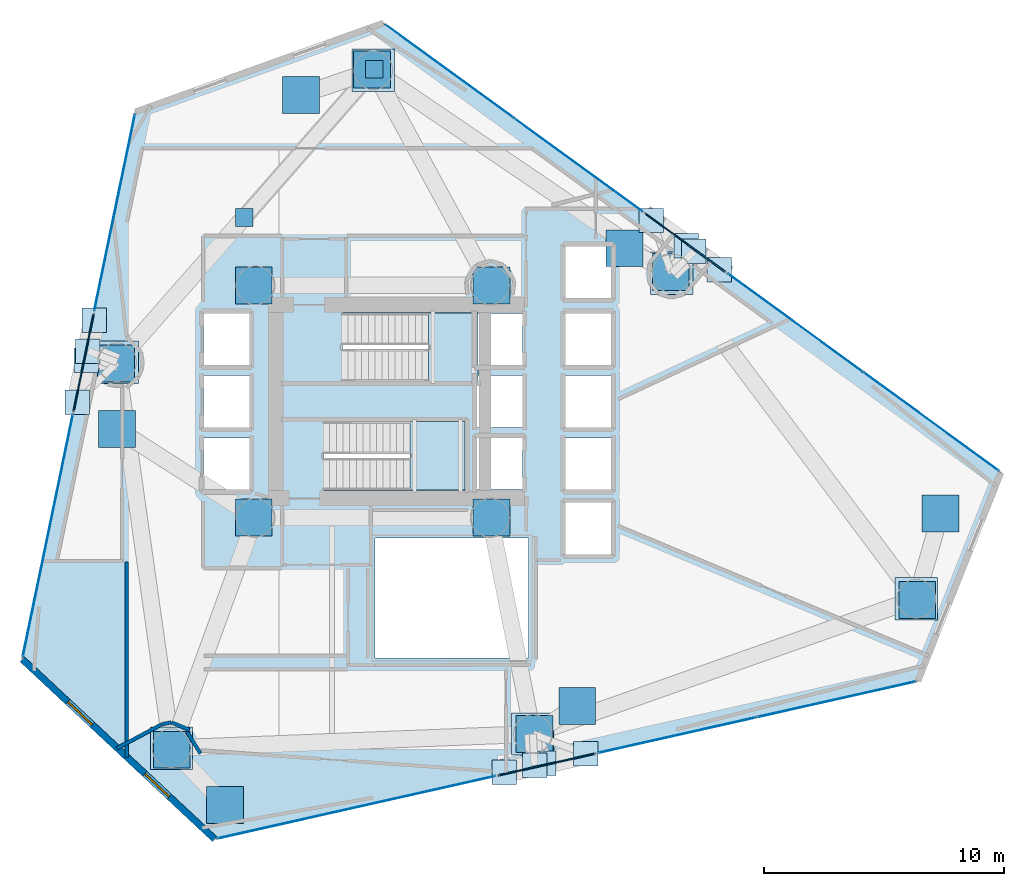
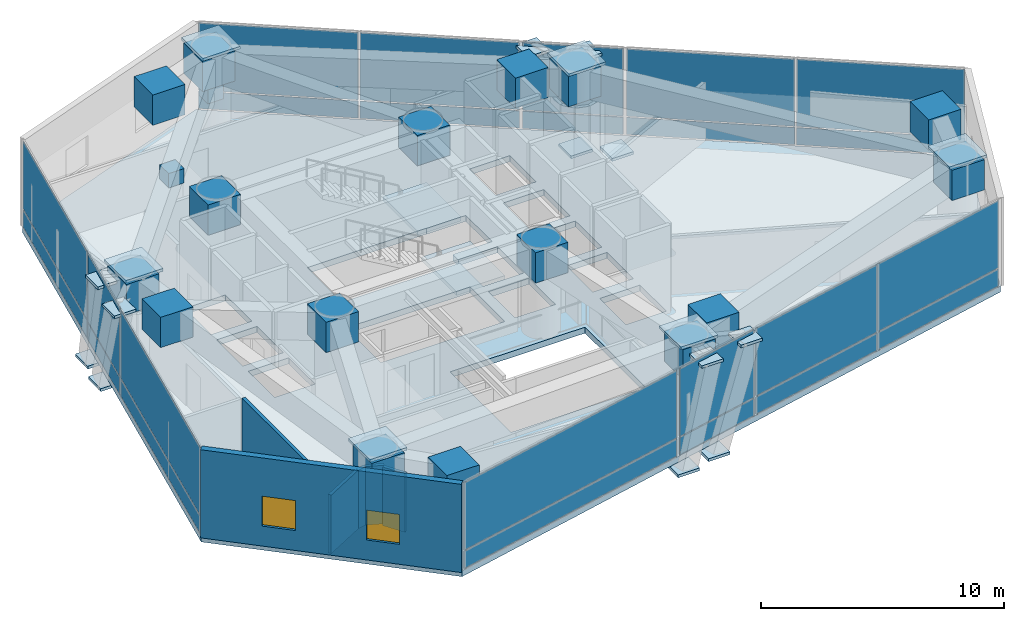
# One storey, part 16 of 22: 60 plates, 6 walls, 3 slabs, 2 windows, 2 openings, 11 elements without a shape of their own.
"""IFC4 building model written with IfcOpenShell, lengths in metres."""

from ifc_helpers import new_model, si_unit, direction, frame, frame_2d, origin, origin_2d, place, context, subcontext, project, spatial, polyline, rectangle, outline, extrude, material, layer, layer_set, type_object, element, fill, aggregate, save


model = new_model("IFC4")

# Units and contexts
model_context = context("Model", 3, precision=1e-05, world=origin(), true_north=direction((0.0, 1.0)))
body_context = subcontext(model_context, "Body", "Model", "MODEL_VIEW")
ifc_project = project(units=[si_unit("LENGTHUNIT", "METRE"), si_unit("AREAUNIT", "SQUARE_METRE"), si_unit("VOLUMEUNIT", "CUBIC_METRE"), si_unit("PLANEANGLEUNIT", "RADIAN"), si_unit("MASSUNIT", "GRAM", prefix="KILO")], contexts=[model_context])

# Site, building, storey
site_placement = place(None, origin())
site = spatial("IfcSite", under=ifc_project, at=site_placement, CompositionType="ELEMENT")
building_placement = place(site_placement, origin())
building = spatial("IfcBuilding", under=site, at=building_placement, Name="Qianvela Tower", CompositionType="ELEMENT")
storey_placement = place(building_placement, frame((0.0, 0.0, 93.199951171875)))
storey = spatial("IfcBuildingStorey", under=building, at=storey_placement, Name="L23", CompositionType="ELEMENT", Elevation=93.199951171875)

# Curtain wall, plates
ifc_material_1 = material(Name="Anodised Architectural Aluminium and Insulated Spandrel Panel", Category="aluminium")
ifc_layer_1 = layer(ifc_material_1, 0.179931640625)
ifc_layer_set_1 = layer_set([ifc_layer_1], Name="Anodised Architectural Aluminium and Insulated Spandrel Panel")
curtain_wall_type_1 = type_object("IfcCurtainWallType", Name="CW-BRACEBAY", PredefinedType="USERDEFINED", material=ifc_layer_set_1)
curtain_wall_1_placement = place(storey_placement, origin())
curtain_wall_1 = element("IfcCurtainWall", 1, at=curtain_wall_1_placement, inside=storey, type_object=curtain_wall_type_1, Name="L23 CW-BRACEBAY Curtain Wall 02B", ObjectType="CURTAIN_WALL_SYSTEM", PredefinedType="USERDEFINED")
ifc_material_2 = material(Name="Insulated Aluminium Spandrel Panel with Mineral-Wool Backpan", Category="aluminium")
ifc_layer_2 = layer(ifc_material_2, 0.06005859375)
ifc_layer_set_2 = layer_set([ifc_layer_2], Name="Insulated Aluminium Spandrel Panel with Mineral-Wool Backpan")
plate_type_1 = type_object("IfcPlateType", Name="CW-BRACEBAY-PNL", PredefinedType="CURTAIN_PANEL", material=ifc_layer_set_2)
plate_1_placement = place(storey_placement, frame((46.54736328125, 35.3330078125, 0.06494140625), z_axis=(0.0, 0.0, 1.0), x_axis=(-0.808676468531, 0.58825366063, 0.0)))
plate_1 = element("IfcPlate", 2, at=plate_1_placement, type_object=plate_type_1, Name="CW-9 panel 1.1", PredefinedType="CURTAIN_PANEL", context=body_context, shape_type="SweptSolid", body=[
    extrude(rectangle(XDim=4.14990234375, YDim=0.06005859375, at=origin_2d()), origin(), (0.0, 0.0, 1.0), 0.8525390625),
])
plate_2_placement = place(storey_placement, frame((46.54736328125, 35.3330078125, 0.982421875), z_axis=(0.0, 0.0, 1.0), x_axis=(-0.808676468531, 0.58825366063, 0.0)))
plate_2 = element("IfcPlate", 3, at=plate_2_placement, type_object=plate_type_1, Name="CW-9 panel 1.2", PredefinedType="CURTAIN_PANEL", context=body_context, shape_type="SweptSolid", body=[
    extrude(rectangle(XDim=4.14990234375, YDim=0.06005859375, at=origin_2d()), origin(), (0.0, 0.0, 1.0), 3.37255859375),
])
aggregate(curtain_wall_1, [plate_1, plate_2])

curtain_wall_2_placement = place(storey_placement, origin())
curtain_wall_2 = element("IfcCurtainWall", 4, at=curtain_wall_2_placement, inside=storey, type_object=curtain_wall_type_1, Name="L23 CW-BRACEBAY Curtain Wall 04B", ObjectType="CURTAIN_WALL_SYSTEM", PredefinedType="USERDEFINED")
plate_3_placement = place(storey_placement, frame((21.432373046875, 30.329833984375, 0.06494140625), z_axis=(0.0, 0.0, 1.0), x_axis=(-0.202434080225, -0.979295891528, 0.0)))
plate_3 = element("IfcPlate", 5, at=plate_3_placement, type_object=plate_type_1, Name="CW-9 panel 1.1", PredefinedType="CURTAIN_PANEL", context=body_context, shape_type="SweptSolid", body=[
    extrude(rectangle(XDim=4.14990234375, YDim=0.06005859375, at=origin_2d()), origin(), (0.0, 0.0, 1.0), 0.8525390625),
])
plate_4_placement = place(storey_placement, frame((21.432373046875, 30.329833984375, 0.982421875), z_axis=(0.0, 0.0, 1.0), x_axis=(-0.202434080225, -0.979295891528, 0.0)))
plate_4 = element("IfcPlate", 6, at=plate_4_placement, type_object=plate_type_1, Name="CW-9 panel 1.2", PredefinedType="CURTAIN_PANEL", context=body_context, shape_type="SweptSolid", body=[
    extrude(rectangle(XDim=4.14990234375, YDim=0.06005859375, at=origin_2d()), origin(), (0.0, 0.0, 1.0), 3.37255859375),
])
aggregate(curtain_wall_2, [plate_3, plate_4])

curtain_wall_3_placement = place(storey_placement, origin())
curtain_wall_3 = element("IfcCurtainWall", 7, at=curtain_wall_3_placement, inside=storey, type_object=curtain_wall_type_1, Name="L23 CW-BRACEBAY Curtain Wall 06B", ObjectType="CURTAIN_WALL_SYSTEM", PredefinedType="USERDEFINED")
plate_5_placement = place(storey_placement, frame((40.76953125, 13.54443359375, 0.06494140625), z_axis=(0.0, 0.0, 1.0), x_axis=(0.975641394683, 0.219371531839, 0.0)))
plate_5 = element("IfcPlate", 8, at=plate_5_placement, type_object=plate_type_1, Name="CW-9 panel 1.1", PredefinedType="CURTAIN_PANEL", context=body_context, shape_type="SweptSolid", body=[
    extrude(rectangle(XDim=4.14990234375, YDim=0.06005859375, at=origin_2d()), origin(), (0.0, 0.0, 1.0), 0.8525390625),
])
plate_6_placement = place(storey_placement, frame((40.76953125, 13.54443359375, 0.982421875), z_axis=(0.0, 0.0, 1.0), x_axis=(0.975641394683, 0.219371531839, 0.0)))
plate_6 = element("IfcPlate", 9, at=plate_6_placement, type_object=plate_type_1, Name="CW-9 panel 1.2", PredefinedType="CURTAIN_PANEL", context=body_context, shape_type="SweptSolid", body=[
    extrude(rectangle(XDim=4.14990234375, YDim=0.06005859375, at=origin_2d()), origin(), (0.0, 0.0, 1.0), 3.37255859375),
])
aggregate(curtain_wall_3, [plate_5, plate_6])

ifc_material_3 = material(Name="Anodised Architectural Aluminium and Low-E Glass", Category="aluminium")
ifc_layer_3 = layer(ifc_material_3, 0.179931640625)
ifc_layer_set_3 = layer_set([ifc_layer_3], Name="Anodised Architectural Aluminium and Low-E Glass")
curtain_wall_type_2 = type_object("IfcCurtainWallType", Name="CW-COLIV-Z12", PredefinedType="USERDEFINED", material=ifc_layer_set_3)
curtain_wall_4_placement = place(storey_placement, origin())
curtain_wall_4 = element("IfcCurtainWall", 10, at=curtain_wall_4_placement, inside=storey, type_object=curtain_wall_type_2, Name="L23 CW-COLIV-Z12 Curtain Wall 02A", ObjectType="CURTAIN_WALL_SYSTEM", PredefinedType="USERDEFINED")
ifc_material_4 = material(Name="Double-Silver Low-E Insulated Glass", Category="glass")
ifc_layer_4 = layer(ifc_material_4, 0.030029296875)
ifc_layer_set_4 = layer_set([ifc_layer_4], Name="Double-Silver Low-E Insulated Glass")
plate_type_2 = type_object("IfcPlateType", Name="CW-COLIV-Z12-PNL", PredefinedType="CURTAIN_PANEL", material=ifc_layer_set_4)
plate_7_placement = place(storey_placement, frame((56.821533203125, 27.859375, 0.06494140625), z_axis=(0.0, 0.0, 1.0), x_axis=(-0.808676931417, 0.588253024297, 0.0)))
plate_7 = element("IfcPlate", 11, at=plate_7_placement, type_object=plate_type_2, Name="CW-3 panel 1.1", PredefinedType="CURTAIN_PANEL", context=body_context, shape_type="SweptSolid", body=[
    extrude(rectangle(XDim=6.949951171875, YDim=0.030029296875, at=origin_2d()), origin(), (0.0, 0.0, 1.0), 0.8525390625),
])
plate_8_placement = place(storey_placement, frame((56.821533203125, 27.859375, 0.982421875), z_axis=(0.0, 0.0, 1.0), x_axis=(-0.808676931417, 0.588253024297, 0.0)))
plate_8 = element("IfcPlate", 12, at=plate_8_placement, type_object=plate_type_2, Name="CW-3 panel 1.2", PredefinedType="CURTAIN_PANEL", context=body_context, shape_type="SweptSolid", body=[
    extrude(rectangle(XDim=6.949951171875, YDim=0.030029296875, at=origin_2d()), origin(), (0.0, 0.0, 1.0), 3.37255859375),
])
plate_9_placement = place(storey_placement, frame((51.14453125, 31.98876953125, 0.06494140625), z_axis=(0.0, 0.0, 1.0), x_axis=(-0.808676931417, 0.588253024297, 0.0)))
plate_9 = element("IfcPlate", 13, at=plate_9_placement, type_object=plate_type_2, Name="CW-3 panel 2.1", PredefinedType="CURTAIN_PANEL", context=body_context, shape_type="SweptSolid", body=[
    extrude(rectangle(XDim=6.949951171875, YDim=0.030029296875, at=origin_2d()), origin(), (0.0, 0.0, 1.0), 0.8525390625),
])
plate_10_placement = place(storey_placement, frame((51.14453125, 31.98876953125, 0.982421875), z_axis=(0.0, 0.0, 1.0), x_axis=(-0.808676931417, 0.588253024297, 0.0)))
plate_10 = element("IfcPlate", 14, at=plate_10_placement, type_object=plate_type_2, Name="CW-3 panel 2.2", PredefinedType="CURTAIN_PANEL", context=body_context, shape_type="SweptSolid", body=[
    extrude(rectangle(XDim=6.949951171875, YDim=0.030029296875, at=origin_2d()), origin(), (0.0, 0.0, 1.0), 3.37255859375),
])
aggregate(curtain_wall_4, [plate_7, plate_8, plate_9, plate_10])

curtain_wall_5_placement = place(storey_placement, origin())
curtain_wall_5 = element("IfcCurtainWall", 15, at=curtain_wall_5_placement, inside=storey, type_object=curtain_wall_type_2, Name="L23 CW-COLIV-Z12 Curtain Wall 02C", ObjectType="CURTAIN_WALL_SYSTEM", PredefinedType="USERDEFINED")
plate_11_placement = place(storey_placement, frame((42.095703125, 38.5712890625, 0.06494140625), z_axis=(0.0, 0.0, 1.0), x_axis=(-0.808679236208, 0.588249855866, 0.0)))
plate_11 = element("IfcPlate", 16, at=plate_11_placement, type_object=plate_type_2, Name="CW-3 panel 1.1", PredefinedType="CURTAIN_PANEL", context=body_context, shape_type="SweptSolid", body=[
    extrude(rectangle(XDim=6.58935546875, YDim=0.030029296875, at=origin_2d()), origin(), (0.0, 0.0, 1.0), 0.8525390625),
])
plate_12_placement = place(storey_placement, frame((42.095703125, 38.5712890625, 0.982421875), z_axis=(0.0, 0.0, 1.0), x_axis=(-0.808679236208, 0.588249855866, 0.0)))
plate_12 = element("IfcPlate", 17, at=plate_12_placement, type_object=plate_type_2, Name="CW-3 panel 1.2", PredefinedType="CURTAIN_PANEL", context=body_context, shape_type="SweptSolid", body=[
    extrude(rectangle(XDim=6.58935546875, YDim=0.030029296875, at=origin_2d()), origin(), (0.0, 0.0, 1.0), 3.37255859375),
])
plate_13_placement = place(storey_placement, frame((36.71044921875, 42.488525390625, 0.06494140625), z_axis=(0.0, 0.0, 1.0), x_axis=(-0.808679236208, 0.588249855866, 0.0)))
plate_13 = element("IfcPlate", 18, at=plate_13_placement, type_object=plate_type_2, Name="CW-3 panel 2.1", PredefinedType="CURTAIN_PANEL", context=body_context, shape_type="SweptSolid", body=[
    extrude(rectangle(XDim=6.58935546875, YDim=0.030029296875, at=origin_2d()), origin(), (0.0, 0.0, 1.0), 0.8525390625),
])
plate_14_placement = place(storey_placement, frame((36.71044921875, 42.488525390625, 0.982421875), z_axis=(0.0, 0.0, 1.0), x_axis=(-0.808679236208, 0.588249855866, 0.0)))
plate_14 = element("IfcPlate", 19, at=plate_14_placement, type_object=plate_type_2, Name="CW-3 panel 2.2", PredefinedType="CURTAIN_PANEL", context=body_context, shape_type="SweptSolid", body=[
    extrude(rectangle(XDim=6.58935546875, YDim=0.030029296875, at=origin_2d()), origin(), (0.0, 0.0, 1.0), 3.37255859375),
])
aggregate(curtain_wall_5, [plate_11, plate_12, plate_13, plate_14])

curtain_wall_6_placement = place(storey_placement, origin())
curtain_wall_6 = element("IfcCurtainWall", 20, at=curtain_wall_6_placement, inside=storey, type_object=curtain_wall_type_2, Name="L23 CW-COLIV-Z12 Curtain Wall 04A", ObjectType="CURTAIN_WALL_SYSTEM", PredefinedType="USERDEFINED")
plate_15_placement = place(storey_placement, frame((22.724853515625, 36.58251953125, 0.06494140625), z_axis=(0.0, 0.0, 1.0), x_axis=(-0.202449807585, -0.979292640332, 0.0)))
plate_15 = element("IfcPlate", 21, at=plate_15_placement, type_object=plate_type_2, Name="CW-3 panel 1.1", PredefinedType="CURTAIN_PANEL", context=body_context, shape_type="SweptSolid", body=[
    extrude(rectangle(XDim=8.35009765625, YDim=0.030029296875, at=origin_2d()), origin(), (0.0, 0.0, 1.0), 0.8525390625),
])
plate_16_placement = place(storey_placement, frame((22.724853515625, 36.58251953125, 0.982421875), z_axis=(0.0, 0.0, 1.0), x_axis=(-0.202449807585, -0.979292640332, 0.0)))
plate_16 = element("IfcPlate", 22, at=plate_16_placement, type_object=plate_type_2, Name="CW-3 panel 1.2", PredefinedType="CURTAIN_PANEL", context=body_context, shape_type="SweptSolid", body=[
    extrude(rectangle(XDim=8.35009765625, YDim=0.030029296875, at=origin_2d()), origin(), (0.0, 0.0, 1.0), 3.37255859375),
])
aggregate(curtain_wall_6, [plate_15, plate_16])

curtain_wall_7_placement = place(storey_placement, origin())
curtain_wall_7 = element("IfcCurtainWall", 23, at=curtain_wall_7_placement, inside=storey, type_object=curtain_wall_type_2, Name="L23 CW-COLIV-Z12 Curtain Wall 04C", ObjectType="CURTAIN_WALL_SYSTEM", PredefinedType="USERDEFINED")
plate_17_placement = place(storey_placement, frame((19.93994140625, 23.110107421875, 0.06494140625), z_axis=(0.0, 0.0, 1.0), x_axis=(-0.202446655755, -0.979293291907, 0.0)))
plate_17 = element("IfcPlate", 24, at=plate_17_placement, type_object=plate_type_2, Name="CW-3 panel 1.1", PredefinedType="CURTAIN_PANEL", context=body_context, shape_type="SweptSolid", body=[
    extrude(rectangle(XDim=10.324462890625, YDim=0.030029296875, at=origin_2d()), origin(), (0.0, 0.0, 1.0), 0.8525390625),
])
plate_18_placement = place(storey_placement, frame((19.93994140625, 23.110107421875, 0.982421875), z_axis=(0.0, 0.0, 1.0), x_axis=(-0.202446655755, -0.979293291907, 0.0)))
plate_18 = element("IfcPlate", 25, at=plate_18_placement, type_object=plate_type_2, Name="CW-3 panel 1.2", PredefinedType="CURTAIN_PANEL", context=body_context, shape_type="SweptSolid", body=[
    extrude(rectangle(XDim=10.324462890625, YDim=0.030029296875, at=origin_2d()), origin(), (0.0, 0.0, 1.0), 3.37255859375),
])
aggregate(curtain_wall_7, [plate_17, plate_18])

curtain_wall_8_placement = place(storey_placement, origin())
curtain_wall_8 = element("IfcCurtainWall", 26, at=curtain_wall_8_placement, inside=storey, type_object=curtain_wall_type_2, Name="L23 CW-COLIV-Z12 Curtain Wall 06A", ObjectType="CURTAIN_WALL_SYSTEM", PredefinedType="USERDEFINED")
plate_19_placement = place(storey_placement, frame((32.818115234375, 11.75634765625, 0.06494140625), z_axis=(0.0, 0.0, 1.0), x_axis=(0.975638610862, 0.219383912345, 0.0)))
plate_19 = element("IfcPlate", 27, at=plate_19_placement, type_object=plate_type_2, Name="CW-3 panel 1.1", PredefinedType="CURTAIN_PANEL", context=body_context, shape_type="SweptSolid", body=[
    extrude(rectangle(XDim=11.880126953125, YDim=0.030029296875, at=origin_2d()), origin(), (0.0, 0.0, 1.0), 0.8525390625),
])
plate_20_placement = place(storey_placement, frame((32.818115234375, 11.75634765625, 0.982421875), z_axis=(0.0, 0.0, 1.0), x_axis=(0.975638610862, 0.219383912345, 0.0)))
plate_20 = element("IfcPlate", 28, at=plate_20_placement, type_object=plate_type_2, Name="CW-3 panel 1.2", PredefinedType="CURTAIN_PANEL", context=body_context, shape_type="SweptSolid", body=[
    extrude(rectangle(XDim=11.880126953125, YDim=0.030029296875, at=origin_2d()), origin(), (0.0, 0.0, 1.0), 3.37255859375),
])
aggregate(curtain_wall_8, [plate_19, plate_20])

curtain_wall_9_placement = place(storey_placement, origin())
curtain_wall_9 = element("IfcCurtainWall", 29, at=curtain_wall_9_placement, inside=storey, type_object=curtain_wall_type_2, Name="L23 CW-COLIV-Z12 Curtain Wall 06C", ObjectType="CURTAIN_WALL_SYSTEM", PredefinedType="USERDEFINED")
plate_21_placement = place(storey_placement, frame((46.212890625, 14.768310546875, 0.06494140625), z_axis=(0.0, 0.0, 1.0), x_axis=(0.975637952852, 0.219386838607, 0.0)))
plate_21 = element("IfcPlate", 30, at=plate_21_placement, type_object=plate_type_2, Name="CW-3 panel 1.1", PredefinedType="CURTAIN_PANEL", context=body_context, shape_type="SweptSolid", body=[
    extrude(rectangle(XDim=6.73828125, YDim=0.030029296875, at=origin_2d()), origin(), (0.0, 0.0, 1.0), 0.8525390625),
])
plate_22_placement = place(storey_placement, frame((46.212890625, 14.768310546875, 0.982421875), z_axis=(0.0, 0.0, 1.0), x_axis=(0.975637952852, 0.219386838607, 0.0)))
plate_22 = element("IfcPlate", 31, at=plate_22_placement, type_object=plate_type_2, Name="CW-3 panel 1.2", PredefinedType="CURTAIN_PANEL", context=body_context, shape_type="SweptSolid", body=[
    extrude(rectangle(XDim=6.73828125, YDim=0.030029296875, at=origin_2d()), origin(), (0.0, 0.0, 1.0), 3.37255859375),
])
plate_23_placement = place(storey_placement, frame((52.85498046875, 16.261962890625, 0.06494140625), z_axis=(0.0, 0.0, 1.0), x_axis=(0.975637952852, 0.219386838607, 0.0)))
plate_23 = element("IfcPlate", 32, at=plate_23_placement, type_object=plate_type_2, Name="CW-3 panel 2.1", PredefinedType="CURTAIN_PANEL", context=body_context, shape_type="SweptSolid", body=[
    extrude(rectangle(XDim=6.73828125, YDim=0.030029296875, at=origin_2d()), origin(), (0.0, 0.0, 1.0), 0.8525390625),
])
plate_24_placement = place(storey_placement, frame((52.85498046875, 16.261962890625, 0.982421875), z_axis=(0.0, 0.0, 1.0), x_axis=(0.975637952852, 0.219386838607, 0.0)))
plate_24 = element("IfcPlate", 33, at=plate_24_placement, type_object=plate_type_2, Name="CW-3 panel 2.2", PredefinedType="CURTAIN_PANEL", context=body_context, shape_type="SweptSolid", body=[
    extrude(rectangle(XDim=6.73828125, YDim=0.030029296875, at=origin_2d()), origin(), (0.0, 0.0, 1.0), 3.37255859375),
])
aggregate(curtain_wall_9, [plate_21, plate_22, plate_23, plate_24])

# Plates
ifc_material_5 = material(Name="Steel Q420GJC", Category="steel")
ifc_layer_5 = layer(ifc_material_5, 0.139892578125)
ifc_layer_set_5 = layer_set([ifc_layer_5], Name="Steel Q420GJC")
plate_type_3 = type_object("IfcPlateType", Name="PT-GUSSET-NODE-140", PredefinedType="USERDEFINED", material=ifc_layer_set_5)
for number, where, z_axis, x_axis, name in (
    (34, (56.198974609375, 20.468017578125, 4.59521484375), (0.0, 0.0, 1.0), (1.0, 0.0, 0.0), "L23 Node Gusset Plate TOP"),
    (35, (45.98388671875, 34.056884765625, 4.59521484375), (0.0, 0.0, 1.0), (1.0, 0.0, 0.0), "L23 Node Gusset Plate TOP"),
    (36, (33.52587890625, 42.529052734375, 4.59521484375), (0.0, 0.0, 1.0), (1.0, 0.0, 0.0), "L23 Node Gusset Plate TOP"),
    (37, (22.8291015625, 30.340087890625, 4.59521484375), (0.0, 0.0, 1.0), (1.0, 0.0, 0.0), "L23 Node Gusset Plate TOP"),
    (38, (25.10009765625, 14.22509765625, 4.59521484375), (0.0, 0.0, 1.0), (1.0, 0.0, 0.0), "L23 Node Gusset Plate TOP"),
    (39, (40.18896484375, 14.819091796875, 4.59521484375), (0.0, 0.0, 1.0), (1.0, 0.0, 0.0), "L23 Node Gusset Plate TOP"),
):
    element("IfcPlate", number, at=place(storey_placement, frame(where, z_axis=z_axis, x_axis=x_axis)), inside=storey, type_object=plate_type_3, Name=name, ObjectType="GUSSET_PLATE", PredefinedType="USERDEFINED", context=body_context, shape_type="SweptSolid", body=[
        extrude(rectangle(XDim=1.77001953125, YDim=1.77001953125, at=origin_2d()), origin(), (0.0, 0.0, 1.0), 0.139892578125),
    ])
for number, where, z_axis, x_axis, name in (
    (40, (47.96923828125, 34.19970703125, -0.78466796875), (0.0, 0.0, 1.0), (1.0, 0.0, 0.0), "L23 Node Gusset Plate A"),
    (41, (46.903076171875, 34.975341796875, 4.06103515625), (0.0, 0.0, 1.0), (1.0, 0.0, 0.0), "L23 Node Gusset Plate B"),
    (42, (46.5966796875, 35.197998046875, -0.78271484375), (0.0, 0.0, 1.0), (1.0, 0.0, 0.0), "L23 Node Gusset Plate A"),
    (43, (45.139404296875, 36.258056640625, 4.05908203125), (0.0, 0.0, 1.0), (1.0, 0.0, 0.0), "L23 Node Gusset Plate B"),
    (44, (21.878173828125, 32.090576171875, -0.78466796875), (0.0, 0.0, 1.0), (1.0, 0.0, 0.0), "L23 Node Gusset Plate A"),
    (45, (21.611083984375, 30.799072265625, 4.06103515625), (0.0, 0.0, 1.0), (1.0, 0.0, 0.0), "L23 Node Gusset Plate B"),
    (46, (21.534423828125, 30.4287109375, -0.78271484375), (0.0, 0.0, 1.0), (1.0, 0.0, 0.0), "L23 Node Gusset Plate A"),
    (47, (21.16943359375, 28.66357421875, 4.05908203125), (0.0, 0.0, 1.0), (1.0, 0.0, 0.0), "L23 Node Gusset Plate B"),
    (48, (38.987060546875, 13.2255859375, -0.78466796875), (0.0, 0.0, 1.0), (1.0, 0.0, 0.0), "L23 Node Gusset Plate A"),
    (49, (40.2744140625, 13.514892578125, 4.06103515625), (0.0, 0.0, 1.0), (1.0, 0.0, 0.0), "L23 Node Gusset Plate B"),
    (50, (40.642822265625, 13.597900390625, -0.78271484375), (0.0, 0.0, 1.0), (1.0, 0.0, 0.0), "L23 Node Gusset Plate A"),
    (51, (42.40185546875, 13.993408203125, 4.05908203125), (0.0, 0.0, 1.0), (1.0, 0.0, 0.0), "L23 Node Gusset Plate B"),
):
    element("IfcPlate", number, at=place(storey_placement, frame(where, z_axis=z_axis, x_axis=x_axis)), inside=storey, type_object=plate_type_3, Name=name, ObjectType="GUSSET_PLATE", PredefinedType="USERDEFINED", context=body_context, shape_type="SweptSolid", body=[
        extrude(rectangle(XDim=1.02001953125, YDim=1.02001953125, at=origin_2d()), origin(), (0.0, 0.0, 1.0), 0.139892578125),
    ])
for number, where, z_axis, x_axis, name in (
    (52, (28.534912109375, 23.85009765625, 2.9580078125), (0.0, 0.0, 1.0), (1.0, 0.0, 0.0), "L23 Node Gusset Plate A"),
    (53, (38.465087890625, 23.85009765625, 2.9580078125), (0.0, 0.0, 1.0), (1.0, 0.0, 0.0), "L23 Node Gusset Plate B"),
    (54, (28.534912109375, 33.550048828125, 2.9580078125), (0.0, 0.0, 1.0), (1.0, 0.0, 0.0), "L23 Node Gusset Plate A"),
    (55, (38.465087890625, 33.550048828125, 2.9580078125), (0.0, 0.0, 1.0), (1.0, 0.0, 0.0), "L23 Node Gusset Plate B"),
    (56, (56.238037109375, 20.416015625, 2.9580078125), (0.0, 0.0, 1.0), (1.0, 0.0, 0.0), "L23 Node Gusset Plate A"),
    (57, (45.94482421875, 34.10888671875, 2.9580078125), (0.0, 0.0, 1.0), (1.0, 0.0, 0.0), "L23 Node Gusset Plate B"),
    (58, (33.472412109375, 42.565673828125, 2.9580078125), (0.0, 0.0, 1.0), (1.0, 0.0, 0.0), "L23 Node Gusset Plate B"),
    (59, (22.7861328125, 30.291015625, 2.9580078125), (0.0, 0.0, 1.0), (1.0, 0.0, 0.0), "L23 Node Gusset Plate B"),
):
    element("IfcPlate", number, at=place(storey_placement, frame(where, z_axis=z_axis, x_axis=x_axis)), inside=storey, type_object=plate_type_3, Name=name, ObjectType="GUSSET_PLATE", PredefinedType="USERDEFINED", context=body_context, shape_type="SweptSolid", body=[
        extrude(rectangle(XDim=1.5400390625, YDim=1.5400390625, at=origin_2d()), origin(), (0.0, 0.0, 1.0), 1.52001953125),
    ])
for number, where, z_axis, x_axis, name in (
    (60, (33.568115234375, 42.5771484375, 1.9287109375), (0.0, 0.0, 1.0), (1.0, 0.0, 0.0), "L23 Node Gusset Plate A"),
    (61, (28.13525390625, 36.386474609375, 3.369140625), (0.0, 0.0, 1.0), (1.0, 0.0, 0.0), "L23 Node Gusset Plate B"),
):
    element("IfcPlate", number, at=place(storey_placement, frame(where, z_axis=z_axis, x_axis=x_axis)), inside=storey, type_object=plate_type_3, Name=name, ObjectType="GUSSET_PLATE", PredefinedType="USERDEFINED", context=body_context, shape_type="SweptSolid", body=[
        extrude(rectangle(XDim=0.739990234375, YDim=0.739990234375, at=origin_2d()), origin(), (0.0, 0.0, 1.0), 0.719970703125),
    ])
for number, where, z_axis, x_axis, name in (
    (62, (25.109130859375, 14.16064453125, 2.9580078125), (0.0, 0.0, 1.0), (1.0, 0.0, 0.0), "L23 Node Gusset Plate B"),
    (63, (40.25390625, 14.821533203125, 2.9580078125), (0.0, 0.0, 1.0), (1.0, 0.0, 0.0), "L23 Node Gusset Plate B"),
    (64, (57.2119140625, 24.0205078125, 2.9580078125), (0.0, 0.0, 1.0), (1.0, 0.0, 0.0), "L23 Node Gusset Plate B"),
    (65, (44.013671875, 35.100341796875, 2.9580078125), (0.0, 0.0, 1.0), (1.0, 0.0, 0.0), "L23 Node Gusset Plate B"),
    (66, (30.50244140625, 41.5, 2.9580078125), (0.0, 0.0, 1.0), (1.0, 0.0, 0.0), "L23 Node Gusset Plate B"),
    (67, (22.8232421875, 27.551025390625, 2.9580078125), (0.0, 0.0, 1.0), (1.0, 0.0, 0.0), "L23 Node Gusset Plate B"),
    (68, (27.336669921875, 11.86181640625, 2.9580078125), (0.0, 0.0, 1.0), (1.0, 0.0, 0.0), "L23 Node Gusset Plate B"),
    (69, (42.04296875, 15.99169921875, 2.9580078125), (0.0, 0.0, 1.0), (1.0, 0.0, 0.0), "L23 Node Gusset Plate B"),
):
    element("IfcPlate", number, at=place(storey_placement, frame(where, z_axis=z_axis, x_axis=x_axis)), inside=storey, type_object=plate_type_3, Name=name, ObjectType="GUSSET_PLATE", PredefinedType="USERDEFINED", context=body_context, shape_type="SweptSolid", body=[
        extrude(rectangle(XDim=1.5400390625, YDim=1.5400390625, at=origin_2d()), origin(), (0.0, 0.0, 1.0), 1.52001953125),
    ])

# Stair, slab
ifc_material_6 = material(Name="Concrete C40", Category="concrete")
stair_type = type_object("IfcStairType", Name="ST-DOGLEG-1350-R164-N28", PredefinedType="HALF_TURN_STAIR", material=ifc_material_6)
stair_1_placement = place(storey_placement, origin())
stair_1 = element("IfcStair", 70, at=stair_1_placement, inside=storey, type_object=stair_type, Name="L23 Smoke-Proof Core Stair ST-1", PredefinedType="HALF_TURN_STAIR")
ifc_material_7 = material(Name="Concrete C40", Category="concrete")
ifc_layer_6 = layer(ifc_material_7, 0.199951171875)
ifc_layer_set_6 = layer_set([ifc_layer_6], Name="Concrete C40")
slab_type_1 = type_object("IfcSlabType", Name="SL-STAIR-LANDING-200", PredefinedType="LANDING", material=ifc_layer_set_6)
slab_1_placement = place(storey_placement, frame((0.0, 0.0, 2.10009765625)))
slab_1 = element("IfcSlab", 71, at=slab_1_placement, type_object=slab_type_1, Name="ST-1 landing 1", PredefinedType="LANDING", context=body_context, shape_type="SweptSolid", body=[
    extrude(outline(polyline([(35.840087890625, 29.5400390625), (37.89990234375, 29.5400390625), (37.89990234375, 32.39990234375), (35.840087890625, 32.39990234375), (35.840087890625, 29.5400390625)])), origin(), (0.0, 0.0, 1.0), 0.199951171875),
])
aggregate(stair_1, [slab_1])

stair_2_placement = place(storey_placement, origin())
stair_2 = element("IfcStair", 72, at=stair_2_placement, inside=storey, type_object=stair_type, Name="L23 Smoke-Proof Core Stair ST-2", PredefinedType="HALF_TURN_STAIR")
slab_2_placement = place(storey_placement, frame((0.0, 0.0, 2.10009765625)))
slab_2 = element("IfcSlab", 73, at=slab_2_placement, type_object=slab_type_1, Name="ST-2 landing 1", PredefinedType="LANDING", context=body_context, shape_type="SweptSolid", body=[
    extrude(outline(polyline([(35.06005859375, 25.0), (37.35009765625, 25.0), (37.35009765625, 27.860107421875), (35.06005859375, 27.860107421875), (35.06005859375, 25.0)])), origin(), (0.0, 0.0, 1.0), 0.199951171875),
])
aggregate(stair_2, [slab_2])

# Slab
ifc_material_8 = material(Name="Concrete C40", Category="concrete")
ifc_layer_7 = layer(ifc_material_8, 0.300048828125)
ifc_layer_set_7 = layer_set([ifc_layer_7], Name="Concrete C40")
slab_type_2 = type_object("IfcSlabType", Name="SL-TRANS-300", PredefinedType="FLOOR", material=ifc_layer_set_7)
slab_3_placement = place(storey_placement, frame((0.0, 0.0, -0.300048828125)))
element("IfcSlab", 74, at=slab_3_placement, inside=storey, type_object=slab_type_2, Name="L23 Composite Structural Floor Slab", PredefinedType="FLOOR", context=body_context, shape_type="SweptSolid", body=[
    extrude(outline(polyline([(56.25927734375, 17.02734375), (59.728759765625, 25.744384765625), (33.948974609375, 44.497314453125), (23.594482421875, 40.78857421875), (18.87060546875, 17.937255859375), (26.90576171875, 10.427001953125), (56.25927734375, 17.02734375)]), holes=[polyline([(40.0, 23.0), (33.60009765625, 23.0), (33.60009765625, 18.0), (40.0, 18.0), (40.0, 23.0)]), polyline([(28.360107421875, 25.02001953125), (28.360107421875, 27.179931640625), (26.43994140625, 27.179931640625), (26.43994140625, 25.02001953125), (28.360107421875, 25.02001953125)]), polyline([(37.35009765625, 25.0), (37.35009765625, 27.860107421875), (31.469970703125, 27.860107421875), (31.469970703125, 25.0), (37.35009765625, 25.0)]), polyline([(28.360107421875, 27.6201171875), (28.360107421875, 29.780029296875), (26.43994140625, 29.780029296875), (26.43994140625, 27.6201171875), (28.360107421875, 27.6201171875)]), polyline([(37.89990234375, 32.3798828125), (37.89990234375, 32.39990234375), (32.25, 32.39990234375), (32.25, 29.5400390625), (37.840087890625, 29.5400390625), (37.840087890625, 27.6201171875), (39.760009765625, 27.6201171875), (39.760009765625, 29.780029296875), (37.89990234375, 29.780029296875), (37.89990234375, 30.219970703125), (39.760009765625, 30.219970703125), (39.760009765625, 32.3798828125), (37.89990234375, 32.3798828125)]), polyline([(28.360107421875, 30.219970703125), (28.360107421875, 32.3798828125), (26.43994140625, 32.3798828125), (26.43994140625, 30.219970703125), (28.360107421875, 30.219970703125)]), polyline([(43.4599609375, 24.47998046875), (41.5400390625, 24.47998046875), (41.5400390625, 22.320068359375), (43.4599609375, 22.320068359375), (43.4599609375, 24.47998046875)]), polyline([(39.760009765625, 25.02001953125), (39.760009765625, 27.179931640625), (37.840087890625, 27.179931640625), (37.840087890625, 25.02001953125), (39.760009765625, 25.02001953125)]), polyline([(43.4599609375, 25.02001953125), (43.4599609375, 27.179931640625), (41.5400390625, 27.179931640625), (41.5400390625, 25.02001953125), (43.4599609375, 25.02001953125)]), polyline([(43.4599609375, 27.6201171875), (43.4599609375, 29.780029296875), (41.5400390625, 29.780029296875), (41.5400390625, 27.6201171875), (43.4599609375, 27.6201171875)]), polyline([(43.4599609375, 30.219970703125), (43.4599609375, 32.3798828125), (41.5400390625, 32.3798828125), (41.5400390625, 30.219970703125), (43.4599609375, 30.219970703125)]), polyline([(43.4599609375, 33.02001953125), (43.4599609375, 35.179931640625), (41.5400390625, 35.179931640625), (41.5400390625, 33.02001953125), (43.4599609375, 33.02001953125)])]), origin(), (0.0, 0.0, 1.0), 0.300048828125),
])

# Wall, openings, windows
ifc_material_9 = material(Name="Terracotta Cladding on Concrete C40", Category="masonry")
ifc_layer_8 = layer(ifc_material_9, 0.280029296875)
ifc_layer_set_8 = layer_set([ifc_layer_8], Name="Terracotta Cladding on Concrete C40")
wall_type_1 = type_object("IfcWallType", Name="TERRACOTTA-WALL-280", PredefinedType="SOLIDWALL", material=ifc_layer_set_8)
wall_1_placement = place(storey_placement, frame((18.87060546875, 17.937255859375, 0.0), z_axis=(0.0, 0.0, 1.0), x_axis=(0.730566417868, -0.682841642758, 0.0)))
wall_1 = element("IfcWall", 75, at=wall_1_placement, inside=storey, type_object=wall_type_1, Name="L23 Terracotta Chamfer Facet Wall 5", PredefinedType="SOLIDWALL", context=body_context, shape_type="SweptSolid", body=[
    extrude(rectangle(XDim=10.99853515625, YDim=0.280029296875, at=frame_2d((5.499267578125, 0.0))), origin(), (0.0, 0.0, 1.0), 4.420166015625),
])
opening_1_placement = place(wall_1_placement, frame((2.599609375, 0.0, 1.0)))
opening_1 = element("IfcOpeningElement", 76, at=opening_1_placement, cuts=wall_1, Name="Opening W-06", PredefinedType="OPENING", context=body_context, shape_type="SweptSolid", body=[
    extrude(rectangle(XDim=1.39990234375, YDim=1.5, at=frame_2d((0.699951171875, 0.75))), frame((0.0, 0.14990234375, 0.0), z_axis=(0.0, -1.0, 0.0), x_axis=(1.0, 0.0, 0.0)), (0.0, 0.0, 1.0), 0.300048828125),
])
opening_2_placement = place(wall_1_placement, frame((6.9990234375, 0.0, 1.0)))
opening_2 = element("IfcOpeningElement", 77, at=opening_2_placement, cuts=wall_1, Name="Opening W-06", PredefinedType="OPENING", context=body_context, shape_type="SweptSolid", body=[
    extrude(rectangle(XDim=1.39990234375, YDim=1.5, at=frame_2d((0.699951171875, 0.75))), frame((0.0, 0.14990234375, 0.0), z_axis=(0.0, -1.0, 0.0), x_axis=(1.0, 0.0, 0.0)), (0.0, 0.0, 1.0), 0.300048828125),
])
ifc_material_10 = material(Name="Thermally Broken Aluminium and Low-E Glass", Category="aluminium")
window_type = type_object("IfcWindowType", Name="WIN-REF-1400x1500", PartitioningType="SINGLE_PANEL", PredefinedType="WINDOW", material=ifc_material_10)
window_1_placement = place(opening_1_placement, origin())
window_1 = element("IfcWindow", 78, at=window_1_placement, inside=storey, type_object=window_type, Name="L23 Chamfer Facet Window 5.1", OverallHeight=1.5, OverallWidth=1.39990234375, PartitioningType="SINGLE_PANEL", PredefinedType="WINDOW", context=body_context, shape_type="SweptSolid", body=[
    extrude(rectangle(XDim=1.39990234375, YDim=1.5, at=frame_2d((0.699951171875, 0.75))), frame((0.0, 0.030029296875, 0.0), z_axis=(0.0, -1.0, 0.0), x_axis=(1.0, 0.0, 0.0)), (0.0, 0.0, 1.0), 0.06005859375),
])
fill(opening_1, window_1)
window_2_placement = place(opening_2_placement, origin())
window_2 = element("IfcWindow", 79, at=window_2_placement, inside=storey, type_object=window_type, Name="L23 Chamfer Facet Window 5.2", OverallHeight=1.5, OverallWidth=1.39990234375, PartitioningType="SINGLE_PANEL", PredefinedType="WINDOW", context=body_context, shape_type="SweptSolid", body=[
    extrude(rectangle(XDim=1.39990234375, YDim=1.5, at=frame_2d((0.699951171875, 0.75))), frame((0.0, 0.030029296875, 0.0), z_axis=(0.0, -1.0, 0.0), x_axis=(1.0, 0.0, 0.0)), (0.0, 0.0, 1.0), 0.06005859375),
])
fill(opening_2, window_2)

# Walls
ifc_material_11 = material(Name="Fire-Rated Acoustic Gypsum Board")
ifc_layer_9 = layer(ifc_material_11, 0.14990234375)
ifc_layer_set_9 = layer_set([ifc_layer_9], Name="Fire-Rated Acoustic Gypsum Board")
wall_type_2 = type_object("IfcWallType", Name="WT-CORR-150", PredefinedType="PARTITIONING", material=ifc_layer_set_9)
wall_2_placement = place(storey_placement, frame((25.850830078125, 14.99267578125, 0.0), z_axis=(0.0, 0.0, 1.0), x_axis=(-0.923968482091, 0.382468618454, 0.0)))
element("IfcWall", 80, at=wall_2_placement, inside=storey, type_object=wall_type_2, Name="L23 Partition 60", PredefinedType="PARTITIONING", context=body_context, shape_type="SweptSolid", body=[
    extrude(rectangle(XDim=0.7998046875, YDim=0.14990234375, at=frame_2d((0.39990234375, 0.0))), origin(), (0.0, 0.0, 1.0), 2.93994140625),
])
wall_3_placement = place(storey_placement, frame((25.093994140625, 15.30029296875, 0.0), z_axis=(0.0, 0.0, 1.0), x_axis=(-0.980878946489, -0.194618838589, 0.0)))
element("IfcWall", 81, at=wall_3_placement, inside=storey, type_object=wall_type_2, Name="L23 Partition 61", PredefinedType="PARTITIONING", context=body_context, shape_type="SweptSolid", body=[
    extrude(rectangle(XDim=0.40771484375, YDim=0.14990234375, at=frame_2d((0.203857421875, 0.0))), origin(), (0.0, 0.0, 1.0), 2.93994140625),
])
wall_4_placement = place(storey_placement, frame((24.685546875, 15.2177734375, 0.0), z_axis=(0.0, 0.0, 1.0), x_axis=(-0.881959784986, -0.471324662698, 0.0)))
element("IfcWall", 82, at=wall_4_placement, inside=storey, type_object=wall_type_2, Name="L23 Partition 62", PredefinedType="PARTITIONING", context=body_context, shape_type="SweptSolid", body=[
    extrude(rectangle(XDim=2.115966796875, YDim=0.14990234375, at=frame_2d((1.05810546875, 0.0))), origin(), (0.0, 0.0, 1.0), 2.93994140625),
])
wall_5_placement = place(storey_placement, frame((23.23095703125, 13.841552734375, 0.0), z_axis=(0.0, 0.0, 1.0), x_axis=(0.0, 1.0, 0.0)))
element("IfcWall", 83, at=wall_5_placement, inside=storey, type_object=wall_type_2, Name="L23 Partition 63 seg 1", PredefinedType="PARTITIONING", context=body_context, shape_type="SweptSolid", body=[
    extrude(rectangle(XDim=8.158447265625, YDim=0.14990234375, at=frame_2d((4.0791015625, 0.0))), origin(), (0.0, 0.0, 1.0), 2.93994140625),
])
wall_6_placement = place(storey_placement, frame((25.755859375, 14.890625, 0.0), z_axis=(0.0, 0.0, 1.0), x_axis=(0.531340110622, -0.84715859604, 0.0)))
element("IfcWall", 84, at=wall_6_placement, inside=storey, type_object=wall_type_2, Name="L23 Partition 74", PredefinedType="PARTITIONING", context=body_context, shape_type="SweptSolid", body=[
    extrude(rectangle(XDim=1.046630859375, YDim=0.14990234375, at=frame_2d((0.5234375, 0.0))), origin(), (0.0, 0.0, 1.0), 2.93994140625),
])

save(model, "model.ifc")
